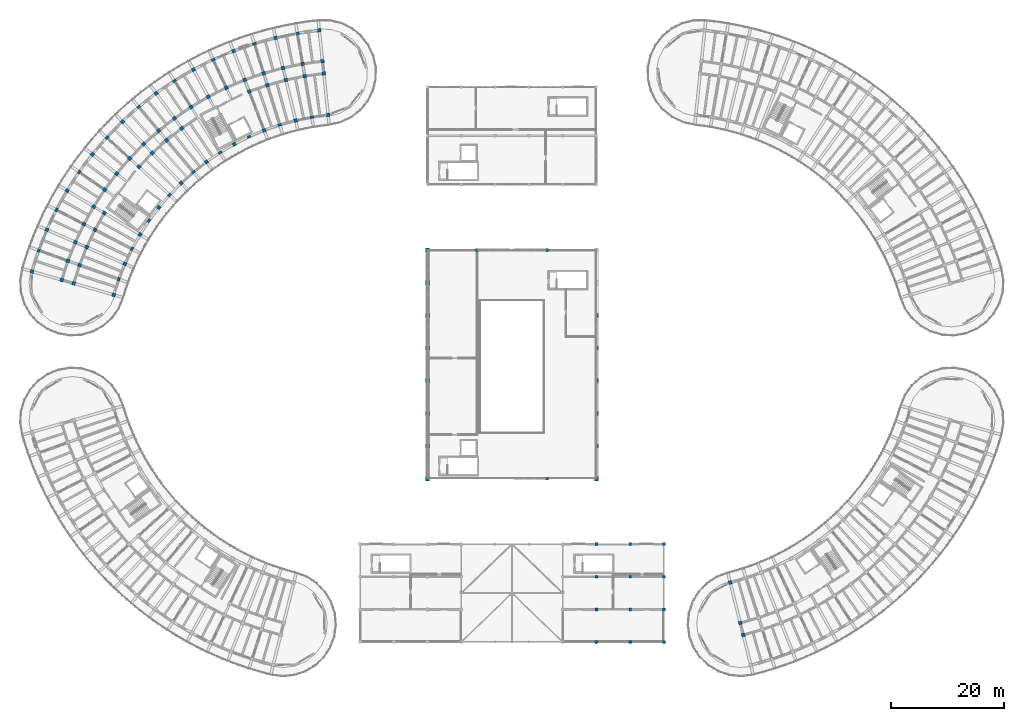
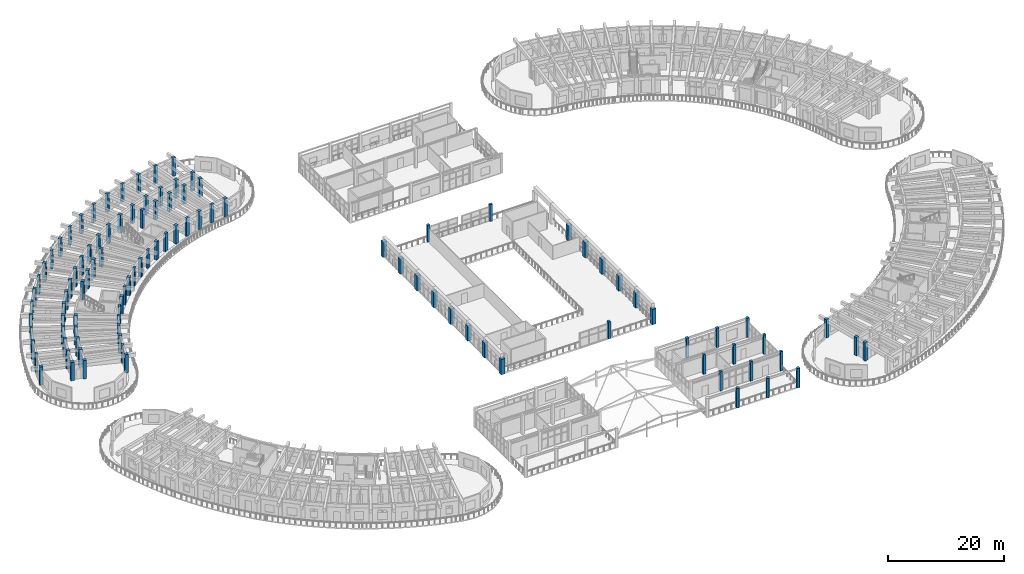
# One storey, part 4 of 128: 103 columns.
"""IFC4 building model written with IfcOpenShell, lengths in metres."""

from ifc_helpers import new_model, si_unit, direction, frame, origin, origin_2d, place, context, subcontext, project, spatial, rectangle, circle, extrude, material, material_profile, profile_set, type_object, element, save


model = new_model("IFC4")

# Units and contexts
model_context = context("Model", 3, precision=1e-05, world=origin(), true_north=direction((0.0, 1.0)))
body_context = subcontext(model_context, "Body", "Model", "MODEL_VIEW")
ifc_project = project(units=[si_unit("LENGTHUNIT", "METRE"), si_unit("AREAUNIT", "SQUARE_METRE"), si_unit("VOLUMEUNIT", "CUBIC_METRE"), si_unit("PLANEANGLEUNIT", "RADIAN"), si_unit("MASSUNIT", "GRAM", prefix="KILO")], contexts=[model_context])

# Site, building, storey
site_placement = place(None, origin())
site = spatial("IfcSite", under=ifc_project, at=site_placement, CompositionType="ELEMENT")
building_placement = place(site_placement, origin())
building = spatial("IfcBuilding", under=site, at=building_placement, Name="Tanwirah Colonnade Gardens", CompositionType="ELEMENT")
storey_placement = place(building_placement, frame((0.0, 0.0, 4.760009765625)))
storey = spatial("IfcBuildingStorey", under=building, at=storey_placement, Name="L01", CompositionType="ELEMENT", Elevation=4.760009765625)

# Columns
ifc_material_1 = material(Name="Precast concrete C40/50", Category="concrete")
ifc_material_profile_1 = material_profile(ifc_material_1, rectangle(XDim=0.5, YDim=0.5, at=origin_2d()), Name="PC-COL 500x500")
ifc_profile_set_1 = profile_set([ifc_material_profile_1], Name="Precast concrete C40/50")
column_type_1 = type_object("IfcColumnType", Name="C-PC500", PredefinedType="COLUMN", material=ifc_profile_set_1)
for number, where, z_axis, x_axis, name in (
    (1, (86.800048828125, 80.39990234375, 0.0), (0.0, 0.0, 1.0), (1.0, 0.0, 0.0), "Community Hall L01 Column 1.7"),
    (2, (99.199951171875, 39.800048828125, 0.0), (0.0, 0.0, 1.0), (1.0, 0.0, 0.0), "Community Hall L01 Column 2.0"),
    (3, (99.199951171875, 80.39990234375, 0.0), (0.0, 0.0, 1.0), (1.0, 0.0, 0.0), "Community Hall L01 Column 2.7"),
):
    element("IfcColumn", number, at=place(storey_placement, frame(where, z_axis=z_axis, x_axis=x_axis)), inside=storey, type_object=column_type_1, Name=name, PredefinedType="COLUMN", context=body_context, shape_type="SweptSolid", body=[
        extrude(rectangle(XDim=0.5, YDim=0.5, at=origin_2d()), origin(), (0.0, 0.0, 1.0), 3.530029296875),
    ])
for number, where, z_axis, x_axis, name in (
    (4, (108.0, 16.60009765625, 0.0), (0.0, 0.0, 1.0), (1.0, 0.0, 0.0), "Boulevard Shops E L01 Column 1.1"),
    (5, (108.0, 22.39990234375, 0.0), (0.0, 0.0, 1.0), (1.0, 0.0, 0.0), "Boulevard Shops E L01 Column 1.2"),
    (6, (108.0, 28.199951171875, 0.0), (0.0, 0.0, 1.0), (1.0, 0.0, 0.0), "Boulevard Shops E L01 Column 1.3"),
    (7, (114.0, 16.60009765625, 0.0), (0.0, 0.0, 1.0), (1.0, 0.0, 0.0), "Boulevard Shops E L01 Column 2.1"),
    (8, (114.0, 22.39990234375, 0.0), (0.0, 0.0, 1.0), (1.0, 0.0, 0.0), "Boulevard Shops E L01 Column 2.2"),
    (9, (114.0, 28.199951171875, 0.0), (0.0, 0.0, 1.0), (1.0, 0.0, 0.0), "Boulevard Shops E L01 Column 2.3"),
    (10, (120.0, 16.60009765625, 0.0), (0.0, 0.0, 1.0), (1.0, 0.0, 0.0), "Boulevard Shops E L01 Column 3.1"),
    (11, (120.0, 22.39990234375, 0.0), (0.0, 0.0, 1.0), (1.0, 0.0, 0.0), "Boulevard Shops E L01 Column 3.2"),
    (12, (120.0, 28.199951171875, 0.0), (0.0, 0.0, 1.0), (1.0, 0.0, 0.0), "Boulevard Shops E L01 Column 3.3"),
):
    element("IfcColumn", number, at=place(storey_placement, frame(where, z_axis=z_axis, x_axis=x_axis)), inside=storey, type_object=column_type_1, Name=name, PredefinedType="COLUMN", context=body_context, shape_type="SweptSolid", body=[
        extrude(rectangle(XDim=0.5, YDim=0.5, at=origin_2d()), origin(), (0.0, 0.0, 1.0), 4.080078125),
    ])
ifc_material_2 = material(Name="Precast concrete C45/55", Category="concrete")
ifc_material_profile_2 = material_profile(ifc_material_2, rectangle(XDim=0.610107421875, YDim=0.610107421875, at=origin_2d()), Name="PC-COL 610x610")
ifc_profile_set_2 = profile_set([ifc_material_profile_2], Name="Precast concrete C45/55")
column_type_2 = type_object("IfcColumnType", Name="C-PC580", PredefinedType="COLUMN", material=ifc_profile_set_2)
for number, where, z_axis, x_axis, name in (
    (13, (131.75341796875, 21.370361328125, 0.0), (0.0, 0.0, 1.0), (0.2419218956, -0.970295726276, 0.0), "Block D L01 Column 0-R0"),
    (14, (133.543701171875, 14.190185546875, 0.0), (0.0, 0.0, 1.0), (0.2419218956, -0.970295726276, 0.0), "Block D L01 Column 0-R1"),
    (15, (134.075927734375, 12.055419921875, 0.0), (0.0, 0.0, 1.0), (0.2419218956, -0.970295726276, 0.0), "Block D L01 Column 0-R2"),
):
    element("IfcColumn", number, at=place(storey_placement, frame(where, z_axis=z_axis, x_axis=x_axis)), inside=storey, type_object=column_type_2, Name=name, PredefinedType="COLUMN", context=body_context, shape_type="SweptSolid", body=[
        extrude(rectangle(XDim=0.610107421875, YDim=0.610107421875, at=origin_2d()), origin(), (0.0, 0.0, 1.0), 3.824951171875),
    ])
ifc_material_profile_3 = material_profile(ifc_material_2, rectangle(XDim=0.6201171875, YDim=0.6201171875, at=origin_2d()), Name="PC-COL 620x620")
ifc_profile_set_3 = profile_set([ifc_material_profile_3], Name="Precast concrete C45/55")
column_type_3 = type_object("IfcColumnType", Name="C-PC620", PredefinedType="COLUMN", material=ifc_profile_set_3)
for number, where, z_axis, x_axis, name in (
    (16, (60.353759765625, 104.406494140625, 0.0), (0.0, 0.0, 1.0), (-0.104528463268, 0.994521895368, 0.0), "Block A L01 Column 0-R0"),
    (17, (59.580078125, 111.765869140625, 0.0), (0.0, 0.0, 1.0), (-0.104528463268, 0.994521895368, 0.0), "Block A L01 Column 0-R1"),
    (18, (59.350341796875, 113.953857421875, 0.0), (0.0, 0.0, 1.0), (-0.104528463268, 0.994521895368, 0.0), "Block A L01 Column 0-R2"),
    (19, (58.775390625, 119.423828125, 0.0), (0.0, 0.0, 1.0), (-0.104528463268, 0.994521895368, 0.0), "Block A L01 Column 0-R3"),
    (20, (56.1943359375, 111.296875, 0.0), (0.0, 0.0, 1.0), (-0.169827298811, 0.985473839622, 0.0), "Block A L01 Column 1-R1"),
    (21, (55.82080078125, 113.46484375, 0.0), (0.0, 0.0, 1.0), (-0.169827298811, 0.985473839622, 0.0), "Block A L01 Column 1-R2"),
    (22, (54.58154296875, 103.411865234375, 0.0), (0.0, 0.0, 1.0), (-0.23438809799, 0.972143106503, 0.0), "Block A L01 Column 2-R0"),
    (23, (52.846923828125, 110.605712890625, 0.0), (0.0, 0.0, 1.0), (-0.23438809799, 0.972143106503, 0.0), "Block A L01 Column 2-R1"),
    (24, (52.331298828125, 112.744384765625, 0.0), (0.0, 0.0, 1.0), (-0.23438809799, 0.972143106503, 0.0), "Block A L01 Column 2-R2"),
    (25, (51.042236328125, 118.091064453125, 0.0), (0.0, 0.0, 1.0), (-0.23438809799, 0.972143106503, 0.0), "Block A L01 Column 2-R3"),
    (26, (49.55224609375, 109.6953125, 0.0), (0.0, 0.0, 1.0), (-0.297930292146, 0.954587628781, 0.0), "Block A L01 Column 3-R1"),
    (27, (48.89697265625, 111.79541015625, 0.0), (0.0, 0.0, 1.0), (-0.297930292146, 0.954587628781, 0.0), "Block A L01 Column 3-R2"),
    (28, (48.989990234375, 101.666748046875, 0.0), (0.0, 0.0, 1.0), (-0.360177739278, 0.932883699144, 0.0), "Block A L01 Column 4-R0"),
    (29, (46.32470703125, 108.570068359375, 0.0), (0.0, 0.0, 1.0), (-0.360177739278, 0.932883699144, 0.0), "Block A L01 Column 4-R1"),
    (30, (45.532470703125, 110.622314453125, 0.0), (0.0, 0.0, 1.0), (-0.360177739278, 0.932883699144, 0.0), "Block A L01 Column 4-R2"),
    (31, (43.551513671875, 115.753173828125, 0.0), (0.0, 0.0, 1.0), (-0.360177739278, 0.932883699144, 0.0), "Block A L01 Column 4-R3"),
    (32, (42.25244140625, 109.230224609375, 0.0), (0.0, 0.0, 1.0), (-0.420859924104, 0.907125638643, 0.0), "Block A L01 Column 5-R2"),
    (33, (43.6767578125, 99.20166015625, 0.0), (0.0, 0.0, 1.0), (-0.479713133669, 0.877425386791, 0.0), "Block A L01 Column 6-R0"),
    (34, (39.071533203125, 107.624755859375, 0.0), (0.0, 0.0, 1.0), (-0.479713133669, 0.877425386791, 0.0), "Block A L01 Column 6-R2"),
    (35, (36.43310546875, 112.45068359375, 0.0), (0.0, 0.0, 1.0), (-0.479713133669, 0.877425386791, 0.0), "Block A L01 Column 6-R3"),
    (36, (36.003173828125, 105.8134765625, 0.0), (0.0, 0.0, 1.0), (-0.536481603385, 0.843912015099, 0.0), "Block A L01 Column 7-R2"),
    (37, (38.733642578125, 96.05908203125, 0.0), (0.0, 0.0, 1.0), (-0.590918628541, 0.806731166153, 0.0), "Block A L01 Column 8-R0"),
    (38, (34.36083984375, 102.029052734375, 0.0), (0.0, 0.0, 1.0), (-0.590918628541, 0.806731166153, 0.0), "Block A L01 Column 8-R1"),
    (39, (33.060791015625, 103.8037109375, 0.0), (0.0, 0.0, 1.0), (-0.590918628541, 0.806731166153, 0.0), "Block A L01 Column 8-R2"),
    (40, (29.810791015625, 108.24072265625, 0.0), (0.0, 0.0, 1.0), (-0.590918628541, 0.806731166153, 0.0), "Block A L01 Column 8-R3"),
    (41, (31.67138671875, 99.91943359375, 0.0), (0.0, 0.0, 1.0), (-0.642787636427, 0.766044420681, 0.0), "Block A L01 Column 9-R1"),
    (42, (30.25732421875, 101.604736328125, 0.0), (0.0, 0.0, 1.0), (-0.642787636427, 0.766044420681, 0.0), "Block A L01 Column 9-R2"),
    (43, (34.24658203125, 92.294189453125, 0.0), (0.0, 0.0, 1.0), (-0.691863214436, 0.722028595355, 0.0), "Block A L01 Column 10-R0"),
    (44, (29.126953125, 97.63720703125, 0.0), (0.0, 0.0, 1.0), (-0.691863214436, 0.722028595355, 0.0), "Block A L01 Column 10-R1"),
    (45, (27.604736328125, 99.2255859375, 0.0), (0.0, 0.0, 1.0), (-0.691863214436, 0.722028595355, 0.0), "Block A L01 Column 10-R2"),
    (46, (23.799560546875, 103.19677734375, 0.0), (0.0, 0.0, 1.0), (-0.691863214436, 0.722028595355, 0.0), "Block A L01 Column 10-R3"),
    (47, (26.73828125, 95.1923828125, 0.0), (0.0, 0.0, 1.0), (-0.737932089665, 0.674874974378, 0.0), "Block A L01 Column 11-R1"),
    (48, (25.11474609375, 96.677001953125, 0.0), (0.0, 0.0, 1.0), (-0.737932089665, 0.674874974378, 0.0), "Block A L01 Column 11-R2"),
    (49, (30.293701171875, 87.971923828125, 0.0), (0.0, 0.0, 1.0), (-0.780794055756, 0.624788478204, 0.0), "Block A L01 Column 12-R0"),
    (50, (22.798095703125, 93.9697265625, 0.0), (0.0, 0.0, 1.0), (-0.780794055756, 0.624788478204, 0.0), "Block A L01 Column 12-R2"),
    (51, (18.503662109375, 97.40625, 0.0), (0.0, 0.0, 1.0), (-0.780794055756, 0.624788478204, 0.0), "Block A L01 Column 12-R3"),
    (52, (20.664794921875, 91.115966796875, 0.0), (0.0, 0.0, 1.0), (-0.82026284295, 0.57198677299, 0.0), "Block A L01 Column 13-R2"),
    (53, (26.943359375, 83.167236328125, 0.0), (0.0, 0.0, 1.0), (-0.856166927587, 0.516699324663, 0.0), "Block A L01 Column 14-R0"),
    (54, (20.607666015625, 86.990966796875, 0.0), (0.0, 0.0, 1.0), (-0.856166927587, 0.516699324663, 0.0), "Block A L01 Column 14-R1"),
    (55, (18.72412109375, 88.127685546875, 0.0), (0.0, 0.0, 1.0), (-0.856166927587, 0.516699324663, 0.0), "Block A L01 Column 14-R2"),
    (56, (14.015380859375, 90.969482421875, 0.0), (0.0, 0.0, 1.0), (-0.856166927587, 0.516699324663, 0.0), "Block A L01 Column 14-R3"),
    (57, (18.93896484375, 84.0078125, 0.0), (0.0, 0.0, 1.0), (-0.888350277506, 0.459166401705, 0.0), "Block A L01 Column 15-R1"),
    (58, (16.984619140625, 85.017822265625, 0.0), (0.0, 0.0, 1.0), (-0.888350277506, 0.459166401705, 0.0), "Block A L01 Column 15-R2"),
    (59, (24.25390625, 77.9638671875, 0.0), (0.0, 0.0, 1.0), (-0.916673030138, 0.399638030994, 0.0), "Block A L01 Column 16-R0"),
    (60, (17.470458984375, 80.921142578125, 0.0), (0.0, 0.0, 1.0), (-0.916673030138, 0.399638030994, 0.0), "Block A L01 Column 16-R1"),
    (61, (15.453857421875, 81.800537109375, 0.0), (0.0, 0.0, 1.0), (-0.916673030138, 0.399638030994, 0.0), "Block A L01 Column 16-R2"),
    (62, (10.412109375, 83.99853515625, 0.0), (0.0, 0.0, 1.0), (-0.916673030138, 0.399638030994, 0.0), "Block A L01 Column 16-R3"),
    (63, (16.20849609375, 77.74462890625, 0.0), (0.0, 0.0, 1.0), (-0.941012100316, 0.338372911236, 0.0), "Block A L01 Column 17-R1"),
    (64, (14.13818359375, 78.489013671875, 0.0), (0.0, 0.0, 1.0), (-0.941012100316, 0.338372911236, 0.0), "Block A L01 Column 17-R2"),
    (65, (22.27197265625, 72.4521484375, 0.0), (0.0, 0.0, 1.0), (-0.961261715181, 0.275637288708, 0.0), "Block A L01 Column 18-R0"),
    (66, (15.15869140625, 74.49169921875, 0.0), (0.0, 0.0, 1.0), (-0.961261715181, 0.275637288708, 0.0), "Block A L01 Column 18-R1"),
    (67, (13.043701171875, 75.09814453125, 0.0), (0.0, 0.0, 1.0), (-0.961261715181, 0.275637288708, 0.0), "Block A L01 Column 18-R2"),
    (68, (7.7568359375, 76.6142578125, 0.0), (0.0, 0.0, 1.0), (-0.961261715181, 0.275637288708, 0.0), "Block A L01 Column 18-R3"),
):
    element("IfcColumn", number, at=place(storey_placement, frame(where, z_axis=z_axis, x_axis=x_axis)), inside=storey, type_object=column_type_3, Name=name, PredefinedType="COLUMN", context=body_context, shape_type="SweptSolid", body=[
        extrude(rectangle(XDim=0.6201171875, YDim=0.6201171875, at=origin_2d()), origin(), (0.0, 0.0, 1.0), 3.824951171875),
    ])
ifc_material_3 = material(Name="Concrete C45/55", Category="concrete")
ifc_material_profile_4 = material_profile(ifc_material_3, rectangle(XDim=0.75, YDim=0.75, at=origin_2d()), Name="RC-COL 750x750")
ifc_profile_set_4 = profile_set([ifc_material_profile_4], Name="Concrete C45/55")
column_type_4 = type_object("IfcColumnType", Name="C-RC750", PredefinedType="COLUMN", material=ifc_profile_set_4)
for number, where, z_axis, x_axis, name in (
    (69, (78.0, 39.800048828125, 0.0), (0.0, 0.0, 1.0), (1.0, 0.0, 0.0), "Community Hall L01 Column 0.0"),
    (70, (78.0, 45.60009765625, 0.0), (0.0, 0.0, 1.0), (1.0, 0.0, 0.0), "Community Hall L01 Column 0.1"),
    (71, (78.0, 51.39990234375, 0.0), (0.0, 0.0, 1.0), (1.0, 0.0, 0.0), "Community Hall L01 Column 0.2"),
    (72, (78.0, 57.199951171875, 0.0), (0.0, 0.0, 1.0), (1.0, 0.0, 0.0), "Community Hall L01 Column 0.3"),
    (73, (78.0, 63.0, 0.0), (0.0, 0.0, 1.0), (1.0, 0.0, 0.0), "Community Hall L01 Column 0.4"),
    (74, (78.0, 68.800048828125, 0.0), (0.0, 0.0, 1.0), (1.0, 0.0, 0.0), "Community Hall L01 Column 0.5"),
    (75, (78.0, 74.60009765625, 0.0), (0.0, 0.0, 1.0), (1.0, 0.0, 0.0), "Community Hall L01 Column 0.6"),
    (76, (78.0, 80.39990234375, 0.0), (0.0, 0.0, 1.0), (1.0, 0.0, 0.0), "Community Hall L01 Column 0.7"),
    (77, (108.0, 39.800048828125, 0.0), (0.0, 0.0, 1.0), (1.0, 0.0, 0.0), "Community Hall L01 Column 3.0"),
    (78, (108.0, 45.60009765625, 0.0), (0.0, 0.0, 1.0), (1.0, 0.0, 0.0), "Community Hall L01 Column 3.1"),
    (79, (108.0, 51.39990234375, 0.0), (0.0, 0.0, 1.0), (1.0, 0.0, 0.0), "Community Hall L01 Column 3.2"),
    (80, (108.0, 57.199951171875, 0.0), (0.0, 0.0, 1.0), (1.0, 0.0, 0.0), "Community Hall L01 Column 3.3"),
    (81, (108.0, 63.0, 0.0), (0.0, 0.0, 1.0), (1.0, 0.0, 0.0), "Community Hall L01 Column 3.4"),
    (82, (108.0, 68.800048828125, 0.0), (0.0, 0.0, 1.0), (1.0, 0.0, 0.0), "Community Hall L01 Column 3.5"),
):
    element("IfcColumn", number, at=place(storey_placement, frame(where, z_axis=z_axis, x_axis=x_axis)), inside=storey, type_object=column_type_4, Name=name, PredefinedType="COLUMN", context=body_context, shape_type="SweptSolid", body=[
        extrude(rectangle(XDim=0.75, YDim=0.75, at=origin_2d()), origin(), (0.0, 0.0, 1.0), 3.2099609375),
    ])
ifc_material_profile_5 = material_profile(ifc_material_1, circle(Radius=0.31005859375, at=origin_2d()), Name="PC-DCOL D620")
ifc_profile_set_5 = profile_set([ifc_material_profile_5], Name="Precast concrete C40/50")
column_type_5 = type_object("IfcColumnType", Name="DCOL-550", PredefinedType="COLUMN", material=ifc_profile_set_5)
for number, where, z_axis, x_axis, name in (
    (83, (108.0, 10.800048828125, 0.0), (0.0, 0.0, 1.0), (1.0, 0.0, 0.0), "Boulevard Shops E L01 Column 1.0"),
    (84, (114.0, 10.800048828125, 0.0), (0.0, 0.0, 1.0), (1.0, 0.0, 0.0), "Boulevard Shops E L01 Column 2.0"),
    (85, (120.0, 10.800048828125, 0.0), (0.0, 0.0, 1.0), (1.0, 0.0, 0.0), "Boulevard Shops E L01 Column 3.0"),
):
    element("IfcColumn", number, at=place(storey_placement, frame(where, z_axis=z_axis, x_axis=x_axis)), inside=storey, type_object=column_type_5, Name=name, PredefinedType="COLUMN", context=body_context, shape_type="SweptSolid", body=[
        extrude(circle(Radius=0.31005859375, at=origin_2d()), origin(), (0.0, 0.0, 1.0), 4.080078125),
    ])
ifc_material_profile_6 = material_profile(ifc_material_2, rectangle(XDim=0.419921875, YDim=0.679931640625, at=origin_2d()), Name="PC-PIL 420x680")
ifc_profile_set_6 = profile_set([ifc_material_profile_6], Name="Precast concrete C45/55")
column_type_6 = type_object("IfcColumnType", Name="PIL-420", PredefinedType="PILASTER", material=ifc_profile_set_6)
for number, where, z_axis, x_axis, name in (
    (86, (57.451171875, 104.00439453125, 0.0), (0.0, 0.0, 1.0), (-0.169827298811, 0.985473839622, 0.0), "Block A L01 Column 1-R0"),
    (87, (54.88671875, 118.885009765625, 0.0), (0.0, 0.0, 1.0), (-0.169827298811, 0.985473839622, 0.0), "Block A L01 Column 1-R3"),
    (88, (51.757080078125, 102.63134765625, 0.0), (0.0, 0.0, 1.0), (-0.297930292146, 0.954587628781, 0.0), "Block A L01 Column 3-R0"),
    (89, (47.25830078125, 117.045654296875, 0.0), (0.0, 0.0, 1.0), (-0.297930292146, 0.954587628781, 0.0), "Block A L01 Column 3-R3"),
    (90, (46.292724609375, 100.521728515625, 0.0), (0.0, 0.0, 1.0), (-0.420859924104, 0.907125638643, 0.0), "Block A L01 Column 5-R0"),
    (91, (39.937744140625, 114.21923828125, 0.0), (0.0, 0.0, 1.0), (-0.420859924104, 0.907125638643, 0.0), "Block A L01 Column 5-R3"),
    (92, (41.1533203125, 97.7119140625, 0.0), (0.0, 0.0, 1.0), (-0.536481603385, 0.843912015099, 0.0), "Block A L01 Column 7-R0"),
    (93, (33.052490234375, 110.455078125, 0.0), (0.0, 0.0, 1.0), (-0.536481603385, 0.843912015099, 0.0), "Block A L01 Column 7-R3"),
    (94, (36.427978515625, 94.250732421875, 0.0), (0.0, 0.0, 1.0), (-0.642787636427, 0.766044420681, 0.0), "Block A L01 Column 9-R0"),
    (95, (26.721923828125, 105.81787109375, 0.0), (0.0, 0.0, 1.0), (-0.642787636427, 0.766044420681, 0.0), "Block A L01 Column 9-R3"),
    (96, (32.198974609375, 90.1982421875, 0.0), (0.0, 0.0, 1.0), (-0.737932089665, 0.674874974378, 0.0), "Block A L01 Column 11-R0"),
    (97, (21.05615234375, 100.388916015625, 0.0), (0.0, 0.0, 1.0), (-0.737932089665, 0.674874974378, 0.0), "Block A L01 Column 11-R3"),
    (98, (28.539306640625, 85.624755859375, 0.0), (0.0, 0.0, 1.0), (-0.82026284295, 0.57198677299, 0.0), "Block A L01 Column 13-R0"),
    (99, (16.1533203125, 94.26171875, 0.0), (0.0, 0.0, 1.0), (-0.82026284295, 0.57198677299, 0.0), "Block A L01 Column 13-R3"),
    (100, (25.512939453125, 80.60986328125, 0.0), (0.0, 0.0, 1.0), (-0.888350277506, 0.459166401705, 0.0), "Block A L01 Column 15-R0"),
    (101, (12.0986328125, 87.54345703125, 0.0), (0.0, 0.0, 1.0), (-0.888350277506, 0.459166401705, 0.0), "Block A L01 Column 15-R3"),
    (102, (23.172119140625, 75.24072265625, 0.0), (0.0, 0.0, 1.0), (-0.941012100316, 0.338372911236, 0.0), "Block A L01 Column 17-R0"),
    (103, (8.962646484375, 80.35009765625, 0.0), (0.0, 0.0, 1.0), (-0.941012100316, 0.338372911236, 0.0), "Block A L01 Column 17-R3"),
):
    element("IfcColumn", number, at=place(storey_placement, frame(where, z_axis=z_axis, x_axis=x_axis)), inside=storey, type_object=column_type_6, Name=name, PredefinedType="PILASTER", context=body_context, shape_type="SweptSolid", body=[
        extrude(rectangle(XDim=0.419921875, YDim=0.679931640625, at=origin_2d()), origin(), (0.0, 0.0, 1.0), 3.824951171875),
    ])

save(model, "model.ifc")
